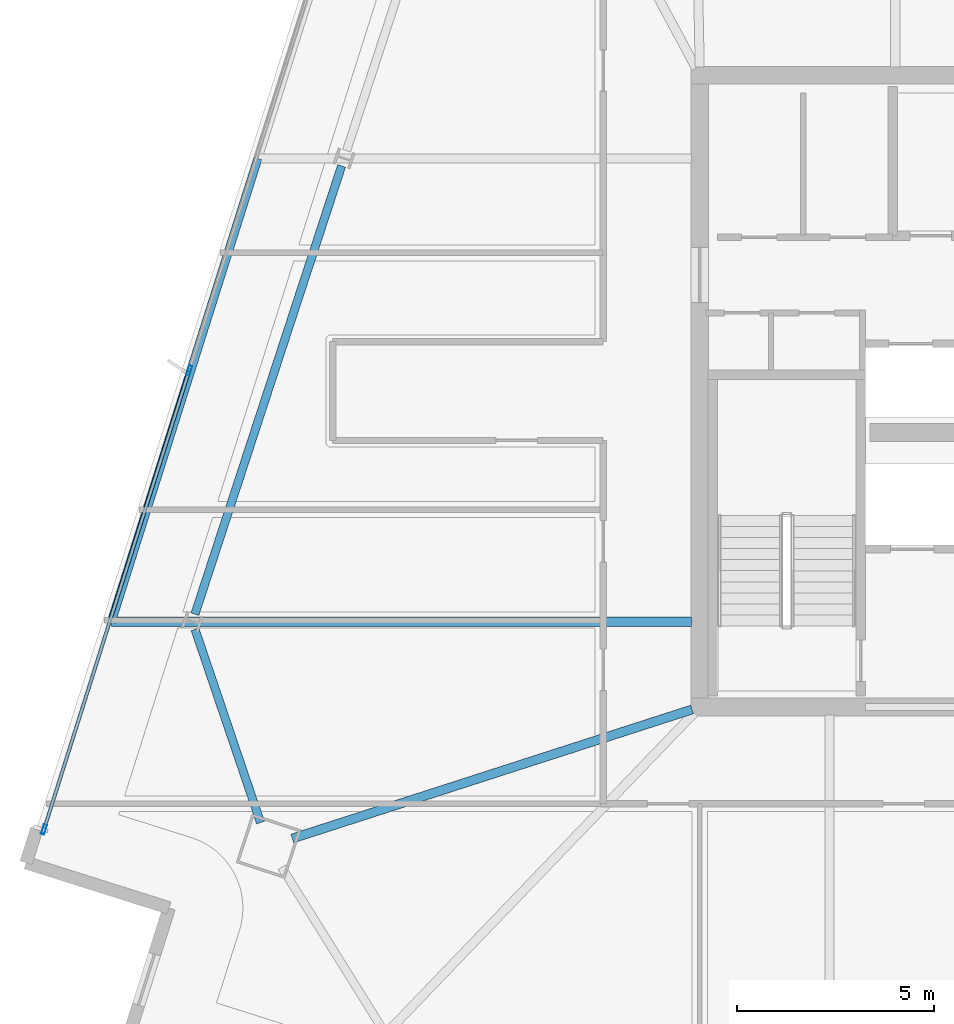
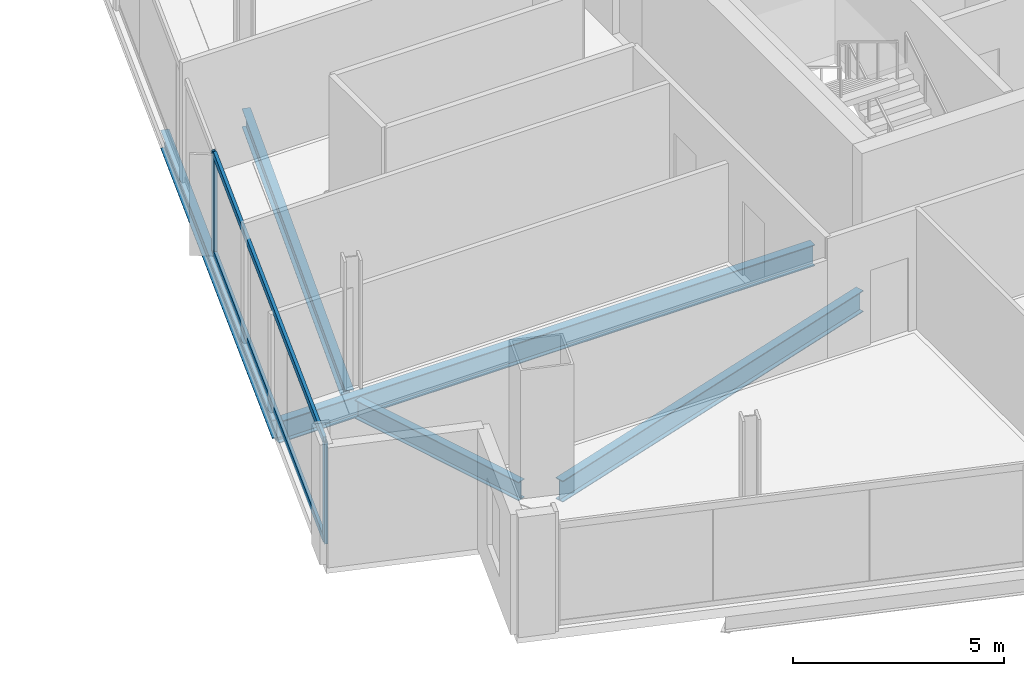
# One storey, part 5 of 26: 5 beams, 4 members, 1 element without a shape of its own.
"""IFC4 building model written with IfcOpenShell, lengths in metres."""

from ifc_helpers import new_model, si_unit, direction, frame, origin, origin_2d, place, context, subcontext, project, spatial, hollow_rectangle, i_section, extrude, material, material_profile, profile_set, type_object, element, aggregate, save


model = new_model("IFC4")

# Units and contexts
model_context = context("Model", 3, precision=1e-05, world=origin(), true_north=direction((0.0, 1.0)))
body_context = subcontext(model_context, "Body", "Model", "MODEL_VIEW")
ifc_project = project(units=[si_unit("LENGTHUNIT", "METRE"), si_unit("AREAUNIT", "SQUARE_METRE"), si_unit("VOLUMEUNIT", "CUBIC_METRE"), si_unit("PLANEANGLEUNIT", "RADIAN"), si_unit("MASSUNIT", "GRAM", prefix="KILO")], contexts=[model_context])

# Site, building, storey
site_placement = place(None, origin())
site = spatial("IfcSite", under=ifc_project, at=site_placement, CompositionType="ELEMENT")
building_placement = place(site_placement, origin())
building = spatial("IfcBuilding", under=site, at=building_placement, Name="Haldenkirk Collegiate Tower", CompositionType="ELEMENT")
storey_placement = place(building_placement, frame((0.0, 0.0, 271.199951171875)))
storey = spatial("IfcBuildingStorey", under=building, at=storey_placement, Name="L68", CompositionType="ELEMENT", Elevation=271.199951171875)

# Beams
ifc_material_1 = material(Name="Steel ASTM A992 Grade 50", Category="steel")
ifc_material_profile_1 = material_profile(ifc_material_1, i_section(OverallWidth=0.22998046875, OverallDepth=0.616943359375, WebThickness=0.01318359375, FlangeThickness=0.022216796875, at=origin_2d()), Name="W24X94")
ifc_profile_set_1 = profile_set([ifc_material_profile_1], Name="Steel ASTM A992 Grade 50")
beam_type_1 = type_object("IfcBeamType", Name="BM-GIRDER-W24X94", PredefinedType="BEAM", material=ifc_profile_set_1)
beam_1_placement = place(storey_placement, frame((16.677001953125, 14.66796875, -0.578369140625), z_axis=(0.95165454957, 0.307170340824, 0.0), x_axis=(-0.307170340824, 0.95165454957, 0.0)))
element("IfcBeam", 1, at=beam_1_placement, inside=storey, type_object=beam_type_1, Name="L68 primary floor girder 04", PredefinedType="BEAM", context=body_context, shape_type="SweptSolid", body=[
    extrude(i_section(OverallWidth=0.22998046875, OverallDepth=0.616943359375, WebThickness=0.01318359375, FlangeThickness=0.022216796875, at=origin_2d()), origin(), (0.0, 0.0, 1.0), 10.642333984375),
])
beam_2_placement = place(storey_placement, frame((12.095703125, 20.157958984375, -0.578369140625), z_axis=(1.0, 0.0, 0.0), x_axis=(0.0, 1.0, 0.0)))
element("IfcBeam", 2, at=beam_2_placement, inside=storey, type_object=beam_type_1, Name="L68 primary floor girder 13", PredefinedType="BEAM", context=body_context, shape_type="SweptSolid", body=[
    extrude(i_section(OverallWidth=0.22998046875, OverallDepth=0.616943359375, WebThickness=0.01318359375, FlangeThickness=0.022216796875, at=origin_2d()), origin(), (0.0, 0.0, 1.0), 14.69921875),
])
ifc_material_profile_2 = material_profile(ifc_material_1, i_section(OverallWidth=0.2099609375, OverallDepth=0.537109375, WebThickness=0.010986328125, FlangeThickness=0.017333984375, at=origin_2d()), Name="W21X68")
ifc_profile_set_2 = profile_set([ifc_material_profile_2], Name="Steel ASTM A992 Grade 50")
beam_type_2 = type_object("IfcBeamType", Name="BM-SPANDREL-W21X68", PredefinedType="SPANDREL", material=ifc_profile_set_2)
beam_3_placement = place(storey_placement, frame((17.9267578125, 31.701171875, -0.538330078125), z_axis=(-0.311010188249, -0.950406577631, 0.0), x_axis=(0.950406577631, -0.311010188249, 0.0)))
element("IfcBeam", 3, at=beam_3_placement, inside=storey, type_object=beam_type_2, Name="L68 perimeter spandrel beam 11", PredefinedType="SPANDREL", context=body_context, shape_type="SweptSolid", body=[
    extrude(i_section(OverallWidth=0.2099609375, OverallDepth=0.537109375, WebThickness=0.010986328125, FlangeThickness=0.017333984375, at=origin_2d()), origin(), (0.0, 0.0, 1.0), 11.94287109375),
])
beam_4_placement = place(storey_placement, frame((14.214599609375, 19.96630859375, -0.538330078125), z_axis=(0.321210878439, -0.947007693513, 0.0), x_axis=(0.947007693513, 0.321210878439, 0.0)))
element("IfcBeam", 4, at=beam_4_placement, inside=storey, type_object=beam_type_2, Name="L68 perimeter spandrel beam 12", PredefinedType="SPANDREL", context=body_context, shape_type="SweptSolid", body=[
    extrude(i_section(OverallWidth=0.2099609375, OverallDepth=0.537109375, WebThickness=0.010986328125, FlangeThickness=0.017333984375, at=origin_2d()), origin(), (0.0, 0.0, 1.0), 5.169189453125),
])
beam_5_placement = place(storey_placement, frame((15.807373046875, 31.8935546875, -0.538330078125), z_axis=(-0.301551871143, -0.953449772673, 0.0), x_axis=(0.953449772673, -0.301551871143, 0.0)))
element("IfcBeam", 5, at=beam_5_placement, inside=storey, type_object=beam_type_2, Name="L68 outer facade edge beam 3B", PredefinedType="SPANDREL", context=body_context, shape_type="SweptSolid", body=[
    extrude(i_section(OverallWidth=0.2099609375, OverallDepth=0.537109375, WebThickness=0.010986328125, FlangeThickness=0.017333984375, at=origin_2d()), origin(), (0.0, 0.0, 1.0), 12.30859375),
])

# Curtain wall, members
ifc_material_2 = material(Name="Anodised architectural bronze aluminium", Category="aluminium")
curtain_wall_type = type_object("IfcCurtainWallType", Name="CW-SYS1B-CONVEX-HI", PredefinedType="USERDEFINED", material=ifc_material_2)
curtain_wall_placement = place(storey_placement, origin())
curtain_wall = element("IfcCurtainWall", 6, at=curtain_wall_placement, inside=storey, type_object=curtain_wall_type, Name="L68 Upper tower high-wind convex bronze unitised curtain wall", ObjectType="UNITISED CURTAIN WALL", PredefinedType="USERDEFINED")
ifc_material_profile_3 = material_profile(ifc_material_2, hollow_rectangle(XDim=0.0849609375, YDim=0.25, WallThickness=0.0048828125, at=origin_2d()), Name="CW-MUL-1B")
ifc_profile_set_3 = profile_set([ifc_material_profile_3], Name="Anodised architectural bronze aluminium")
member_type_1 = type_object("IfcMemberType", Name="CW-MUL-1B", PredefinedType="MULLION", material=ifc_profile_set_3)
member_1_placement = place(storey_placement, frame((10.390380859375, 14.89794921875, 0.0), z_axis=(0.0, 0.0, 1.0), x_axis=(-0.953454589166, 0.301536641884, 0.0)))
member_1 = element("IfcMember", 7, at=member_1_placement, type_object=member_type_1, Name="CW-1B mullion 1", PredefinedType="MULLION", context=body_context, shape_type="SweptSolid", body=[
    extrude(hollow_rectangle(XDim=0.0849609375, YDim=0.25, WallThickness=0.0048828125, at=origin_2d()), origin(), (0.0, 0.0, 1.0), 2.93798828125),
])
member_2_placement = place(storey_placement, frame((14.06640625, 26.521484375, 0.0), z_axis=(0.0, 0.0, 1.0), x_axis=(-0.953454589166, 0.301536641884, 0.0)))
member_2 = element("IfcMember", 8, at=member_2_placement, type_object=member_type_1, Name="CW-1B mullion 2", PredefinedType="MULLION", context=body_context, shape_type="SweptSolid", body=[
    extrude(hollow_rectangle(XDim=0.0849609375, YDim=0.25, WallThickness=0.0048828125, at=origin_2d()), origin(), (0.0, 0.0, 1.0), 2.93798828125),
])
ifc_material_profile_4 = material_profile(ifc_material_2, hollow_rectangle(XDim=0.0849609375, YDim=0.199951171875, WallThickness=0.0048828125, at=origin_2d()), Name="CW-TRN-1B")
ifc_profile_set_4 = profile_set([ifc_material_profile_4], Name="Anodised architectural bronze aluminium")
member_type_2 = type_object("IfcMemberType", Name="CW-TRN-1B", PredefinedType="USERDEFINED", material=ifc_profile_set_4)
member_3_placement = place(storey_placement, frame((10.403076171875, 14.9384765625, 0.04248046875), z_axis=(0.301536712302, 0.953454566896, 0.0), x_axis=(-0.953454566896, 0.301536712302, 0.0)))
member_3 = element("IfcMember", 9, at=member_3_placement, type_object=member_type_2, Name="CW-1B transom 1.1", ObjectType="TRANSOM", PredefinedType="USERDEFINED", context=body_context, shape_type="SweptSolid", body=[
    extrude(hollow_rectangle(XDim=0.0849609375, YDim=0.199951171875, WallThickness=0.0048828125, at=origin_2d()), origin(), (0.0, 0.0, 1.0), 12.10595703125),
])
member_4_placement = place(storey_placement, frame((10.403076171875, 14.9384765625, 2.8955078125), z_axis=(0.301536712302, 0.953454566896, 0.0), x_axis=(-0.953454566896, 0.301536712302, 0.0)))
member_4 = element("IfcMember", 10, at=member_4_placement, type_object=member_type_2, Name="CW-1B transom 1.2", ObjectType="TRANSOM", PredefinedType="USERDEFINED", context=body_context, shape_type="SweptSolid", body=[
    extrude(hollow_rectangle(XDim=0.0849609375, YDim=0.199951171875, WallThickness=0.0048828125, at=origin_2d()), origin(), (0.0, 0.0, 1.0), 12.10595703125),
])
aggregate(curtain_wall, [member_1, member_2, member_3, member_4])

save(model, "model.ifc")
